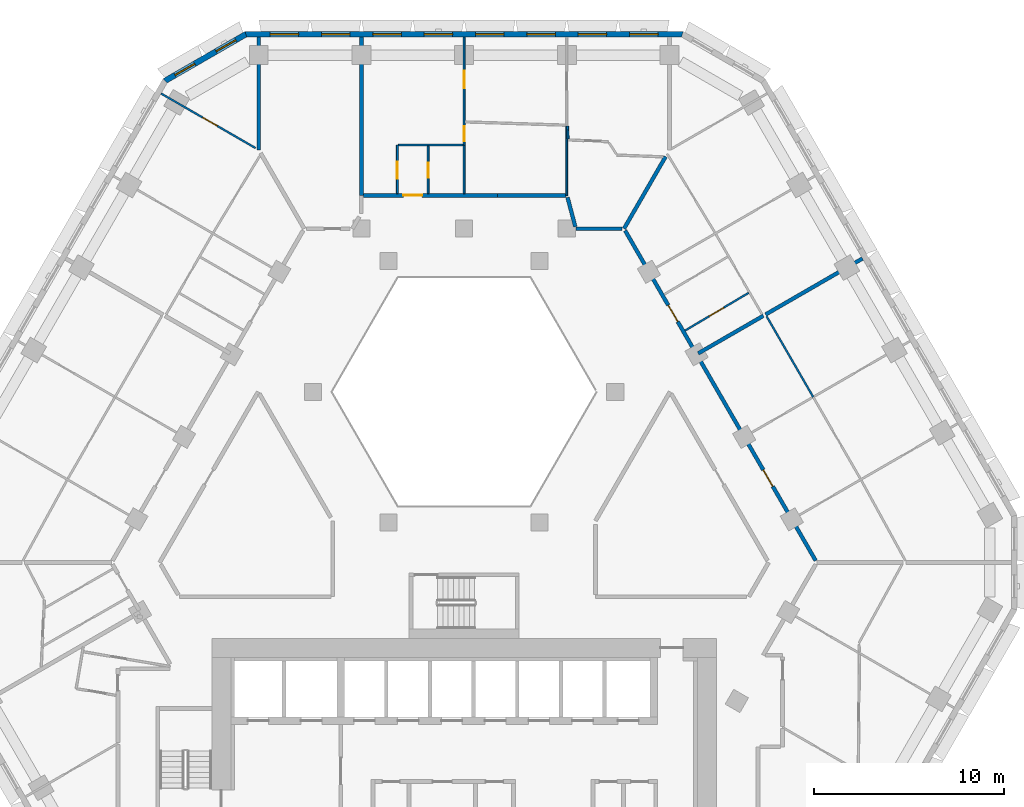
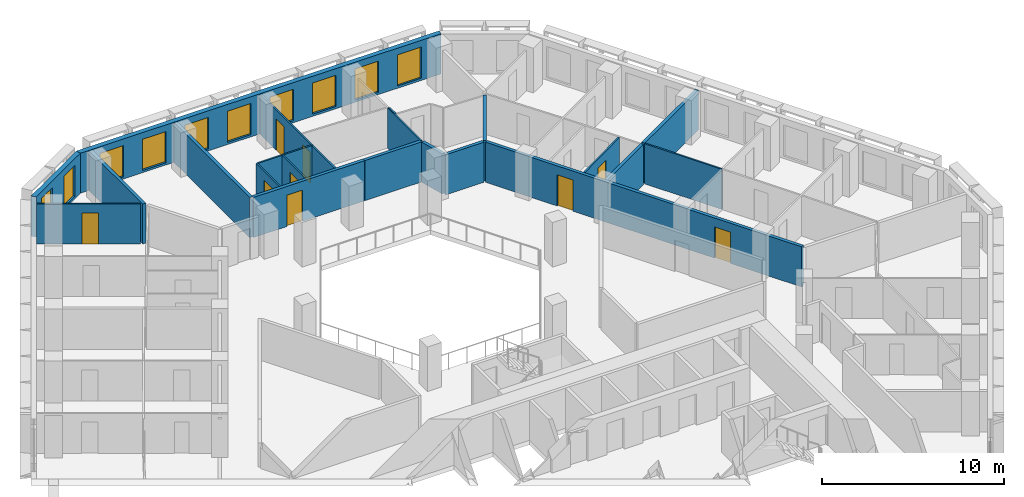
# One storey, part 9 of 18: 22 walls, 10 windows, 9 doors, 19 openings.
"""IFC4 building model written with IfcOpenShell, lengths in metres."""

from ifc_helpers import new_model, si_unit, direction, frame, frame_2d, origin, place, context, subcontext, project, spatial, polyline, rectangle, outline, extrude, material, layer, layer_set, type_object, element, fill, save


model = new_model("IFC4")

# Units and contexts
model_context = context("Model", 3, precision=1e-05, world=origin(), true_north=direction((0.0, 1.0)))
body_context = subcontext(model_context, "Body", "Model", "MODEL_VIEW")
ifc_project = project(units=[si_unit("LENGTHUNIT", "METRE"), si_unit("AREAUNIT", "SQUARE_METRE"), si_unit("VOLUMEUNIT", "CUBIC_METRE"), si_unit("PLANEANGLEUNIT", "RADIAN"), si_unit("MASSUNIT", "GRAM", prefix="KILO")], contexts=[model_context])

# Site, building, storey
site_placement = place(None, origin())
site = spatial("IfcSite", under=ifc_project, at=site_placement, CompositionType="ELEMENT")
building_placement = place(site_placement, origin())
building = spatial("IfcBuilding", under=site, at=building_placement, Name="Beryl Residences", CompositionType="ELEMENT")
storey_placement = place(building_placement, frame((0.0, 0.0, 93.0)))
storey = spatial("IfcBuildingStorey", under=building, at=storey_placement, Name="L28", CompositionType="ELEMENT", Elevation=93.0)

# Wall, openings, windows
ifc_material_1 = material(Name="Composite metal panel with mineral wool insulation")
ifc_layer_1 = layer(ifc_material_1, 0.300048828125)
ifc_layer_set_1 = layer_set([ifc_layer_1], Name="ES1 pale metal composite panel wall 300 mm")
wall_type_1 = type_object("IfcWallType", Name="ES1 pale metal composite panel wall 300 mm", PredefinedType="SOLIDWALL", material=ifc_layer_set_1)
wall_1_placement = place(storey_placement, frame((11.547119140625, 26.85009765625, 0.0), z_axis=(0.0, 0.0, 1.0), x_axis=(-1.0, 0.0, 0.0)))
wall_1 = element("IfcWall", 1, at=wall_1_placement, inside=storey, type_object=wall_type_1, Name="ES1 external wall L28 N", PredefinedType="SOLIDWALL", context=body_context, shape_type="SweptSolid", body=[
    extrude(outline(polyline([(0.0, -0.14990234375), (23.09423828125, -0.14990234375), (23.013916015625, 0.14990234375), (0.080322265625, 0.14990234375), (0.0, -0.14990234375)])), origin(), (0.0, 0.0, 1.0), 2.699951171875),
])
opening_1_placement = place(wall_1_placement, frame((1.324951171875, 0.0, 0.14990234375)))
opening_1 = element("IfcOpeningElement", 2, at=opening_1_placement, cuts=wall_1, Name="Opening W1", PredefinedType="OPENING", context=body_context, shape_type="SweptSolid", body=[
    extrude(rectangle(XDim=1.5, YDim=2.10009765625, at=frame_2d((0.75, 1.050048828125))), frame((0.0, 0.159912109375, 0.0), z_axis=(0.0, -1.0, 0.0), x_axis=(1.0, 0.0, 0.0)), (0.0, 0.0, 1.0), 0.320068359375),
])
opening_2_placement = place(wall_1_placement, frame((4.031982421875, 0.0, 0.14990234375)))
opening_2 = element("IfcOpeningElement", 3, at=opening_2_placement, cuts=wall_1, Name="Opening W1", PredefinedType="OPENING", context=body_context, shape_type="SweptSolid", body=[
    extrude(rectangle(XDim=1.5, YDim=2.10009765625, at=frame_2d((0.75, 1.050048828125))), frame((0.0, 0.159912109375, 0.0), z_axis=(0.0, -1.0, 0.0), x_axis=(1.0, 0.0, 0.0)), (0.0, 0.0, 1.0), 0.320068359375),
])
opening_3_placement = place(wall_1_placement, frame((6.738037109375, 0.0, 0.14990234375)))
opening_3 = element("IfcOpeningElement", 4, at=opening_3_placement, cuts=wall_1, Name="Opening W1", PredefinedType="OPENING", context=body_context, shape_type="SweptSolid", body=[
    extrude(rectangle(XDim=1.5, YDim=2.10009765625, at=frame_2d((0.75, 1.050048828125))), frame((0.0, 0.159912109375, 0.0), z_axis=(0.0, -1.0, 0.0), x_axis=(1.0, 0.0, 0.0)), (0.0, 0.0, 1.0), 0.320068359375),
])
opening_4_placement = place(wall_1_placement, frame((9.445068359375, 0.0, 0.14990234375)))
opening_4 = element("IfcOpeningElement", 5, at=opening_4_placement, cuts=wall_1, Name="Opening W1", PredefinedType="OPENING", context=body_context, shape_type="SweptSolid", body=[
    extrude(rectangle(XDim=1.5, YDim=2.10009765625, at=frame_2d((0.75, 1.050048828125))), frame((0.0, 0.159912109375, 0.0), z_axis=(0.0, -1.0, 0.0), x_axis=(1.0, 0.0, 0.0)), (0.0, 0.0, 1.0), 0.320068359375),
])
opening_5_placement = place(wall_1_placement, frame((12.15087890625, 0.0, 0.14990234375)))
opening_5 = element("IfcOpeningElement", 6, at=opening_5_placement, cuts=wall_1, Name="Opening W1", PredefinedType="OPENING", context=body_context, shape_type="SweptSolid", body=[
    extrude(rectangle(XDim=1.5, YDim=2.10009765625, at=frame_2d((0.75, 1.050048828125))), frame((0.0, 0.159912109375, 0.0), z_axis=(0.0, -1.0, 0.0), x_axis=(1.0, 0.0, 0.0)), (0.0, 0.0, 1.0), 0.320068359375),
])
opening_6_placement = place(wall_1_placement, frame((14.85791015625, 0.0, 0.14990234375)))
opening_6 = element("IfcOpeningElement", 7, at=opening_6_placement, cuts=wall_1, Name="Opening W1", PredefinedType="OPENING", context=body_context, shape_type="SweptSolid", body=[
    extrude(rectangle(XDim=1.5, YDim=2.10009765625, at=frame_2d((0.75, 1.050048828125))), frame((0.0, 0.159912109375, 0.0), z_axis=(0.0, -1.0, 0.0), x_axis=(1.0, 0.0, 0.0)), (0.0, 0.0, 1.0), 0.320068359375),
])
opening_7_placement = place(wall_1_placement, frame((17.56396484375, 0.0, 0.14990234375)))
opening_7 = element("IfcOpeningElement", 8, at=opening_7_placement, cuts=wall_1, Name="Opening W1", PredefinedType="OPENING", context=body_context, shape_type="SweptSolid", body=[
    extrude(rectangle(XDim=1.5, YDim=2.10009765625, at=frame_2d((0.75, 1.050048828125))), frame((0.0, 0.159912109375, 0.0), z_axis=(0.0, -1.0, 0.0), x_axis=(1.0, 0.0, 0.0)), (0.0, 0.0, 1.0), 0.320068359375),
])
opening_8_placement = place(wall_1_placement, frame((20.27099609375, 0.0, 0.14990234375)))
opening_8 = element("IfcOpeningElement", 9, at=opening_8_placement, cuts=wall_1, Name="Opening W1", PredefinedType="OPENING", context=body_context, shape_type="SweptSolid", body=[
    extrude(rectangle(XDim=1.5, YDim=2.10009765625, at=frame_2d((0.75, 1.050048828125))), frame((0.0, 0.159912109375, 0.0), z_axis=(0.0, -1.0, 0.0), x_axis=(1.0, 0.0, 0.0)), (0.0, 0.0, 1.0), 0.320068359375),
])
ifc_material_2 = material(Name="Aluminium and clear glass", Category="aluminium")
window_type_1 = type_object("IfcWindowType", Name="W1 cell window 1500 x 2100 mm", PartitioningType="SINGLE_PANEL", PredefinedType="WINDOW", material=ifc_material_2)
window_1_placement = place(opening_1_placement, origin())
window_1 = element("IfcWindow", 10, at=window_1_placement, inside=storey, type_object=window_type_1, Name="W1 window L28 N 1", OverallHeight=2.10009765625, OverallWidth=1.5, PartitioningType="SINGLE_PANEL", PredefinedType="WINDOW", context=body_context, shape_type="SweptSolid", body=[
    extrude(rectangle(XDim=1.5, YDim=2.10009765625, at=frame_2d((0.75, 1.050048828125))), frame((0.0, 0.030029296875, 0.0), z_axis=(0.0, -1.0, 0.0), x_axis=(1.0, 0.0, 0.0)), (0.0, 0.0, 1.0), 0.06005859375),
])
fill(opening_1, window_1)
window_2_placement = place(opening_2_placement, origin())
window_2 = element("IfcWindow", 11, at=window_2_placement, inside=storey, type_object=window_type_1, Name="W1 window L28 N 2", OverallHeight=2.10009765625, OverallWidth=1.5, PartitioningType="SINGLE_PANEL", PredefinedType="WINDOW", context=body_context, shape_type="SweptSolid", body=[
    extrude(rectangle(XDim=1.5, YDim=2.10009765625, at=frame_2d((0.75, 1.050048828125))), frame((0.0, 0.030029296875, 0.0), z_axis=(0.0, -1.0, 0.0), x_axis=(1.0, 0.0, 0.0)), (0.0, 0.0, 1.0), 0.06005859375),
])
fill(opening_2, window_2)
window_3_placement = place(opening_3_placement, origin())
window_3 = element("IfcWindow", 12, at=window_3_placement, inside=storey, type_object=window_type_1, Name="W1 window L28 N 3", OverallHeight=2.10009765625, OverallWidth=1.5, PartitioningType="SINGLE_PANEL", PredefinedType="WINDOW", context=body_context, shape_type="SweptSolid", body=[
    extrude(rectangle(XDim=1.5, YDim=2.10009765625, at=frame_2d((0.75, 1.050048828125))), frame((0.0, 0.030029296875, 0.0), z_axis=(0.0, -1.0, 0.0), x_axis=(1.0, 0.0, 0.0)), (0.0, 0.0, 1.0), 0.06005859375),
])
fill(opening_3, window_3)
window_4_placement = place(opening_4_placement, origin())
window_4 = element("IfcWindow", 13, at=window_4_placement, inside=storey, type_object=window_type_1, Name="W1 window L28 N 4", OverallHeight=2.10009765625, OverallWidth=1.5, PartitioningType="SINGLE_PANEL", PredefinedType="WINDOW", context=body_context, shape_type="SweptSolid", body=[
    extrude(rectangle(XDim=1.5, YDim=2.10009765625, at=frame_2d((0.75, 1.050048828125))), frame((0.0, 0.030029296875, 0.0), z_axis=(0.0, -1.0, 0.0), x_axis=(1.0, 0.0, 0.0)), (0.0, 0.0, 1.0), 0.06005859375),
])
fill(opening_4, window_4)
window_5_placement = place(opening_5_placement, origin())
window_5 = element("IfcWindow", 14, at=window_5_placement, inside=storey, type_object=window_type_1, Name="W1 window L28 N 5", OverallHeight=2.10009765625, OverallWidth=1.5, PartitioningType="SINGLE_PANEL", PredefinedType="WINDOW", context=body_context, shape_type="SweptSolid", body=[
    extrude(rectangle(XDim=1.5, YDim=2.10009765625, at=frame_2d((0.75, 1.050048828125))), frame((0.0, 0.030029296875, 0.0), z_axis=(0.0, -1.0, 0.0), x_axis=(1.0, 0.0, 0.0)), (0.0, 0.0, 1.0), 0.06005859375),
])
fill(opening_5, window_5)
window_6_placement = place(opening_6_placement, origin())
window_6 = element("IfcWindow", 15, at=window_6_placement, inside=storey, type_object=window_type_1, Name="W1 window L28 N 6", OverallHeight=2.10009765625, OverallWidth=1.5, PartitioningType="SINGLE_PANEL", PredefinedType="WINDOW", context=body_context, shape_type="SweptSolid", body=[
    extrude(rectangle(XDim=1.5, YDim=2.10009765625, at=frame_2d((0.75, 1.050048828125))), frame((0.0, 0.030029296875, 0.0), z_axis=(0.0, -1.0, 0.0), x_axis=(1.0, 0.0, 0.0)), (0.0, 0.0, 1.0), 0.06005859375),
])
fill(opening_6, window_6)
window_7_placement = place(opening_7_placement, origin())
window_7 = element("IfcWindow", 16, at=window_7_placement, inside=storey, type_object=window_type_1, Name="W1 window L28 N 7", OverallHeight=2.10009765625, OverallWidth=1.5, PartitioningType="SINGLE_PANEL", PredefinedType="WINDOW", context=body_context, shape_type="SweptSolid", body=[
    extrude(rectangle(XDim=1.5, YDim=2.10009765625, at=frame_2d((0.75, 1.050048828125))), frame((0.0, 0.030029296875, 0.0), z_axis=(0.0, -1.0, 0.0), x_axis=(1.0, 0.0, 0.0)), (0.0, 0.0, 1.0), 0.06005859375),
])
fill(opening_7, window_7)
window_8_placement = place(opening_8_placement, origin())
window_8 = element("IfcWindow", 17, at=window_8_placement, inside=storey, type_object=window_type_1, Name="W1 window L28 N 8", OverallHeight=2.10009765625, OverallWidth=1.5, PartitioningType="SINGLE_PANEL", PredefinedType="WINDOW", context=body_context, shape_type="SweptSolid", body=[
    extrude(rectangle(XDim=1.5, YDim=2.10009765625, at=frame_2d((0.75, 1.050048828125))), frame((0.0, 0.030029296875, 0.0), z_axis=(0.0, -1.0, 0.0), x_axis=(1.0, 0.0, 0.0)), (0.0, 0.0, 1.0), 0.06005859375),
])
fill(opening_8, window_8)

wall_2_placement = place(storey_placement, frame((-11.471923828125, 26.8701171875, 0.0), z_axis=(0.0, 0.0, 1.0), x_axis=(-0.866022959057, -0.500004234368, 0.0)))
wall_2 = element("IfcWall", 18, at=wall_2_placement, inside=storey, type_object=wall_type_1, Name="ES1 external wall L28 N-NW", PredefinedType="SOLIDWALL", context=body_context, shape_type="SweptSolid", body=[
    extrude(outline(polyline([(0.0, -0.14990234375), (5.0, -0.14990234375), (4.919677734375, 0.14990234375), (0.080322265625, 0.14990234375), (0.0, -0.14990234375)])), origin(), (0.0, 0.0, 1.0), 2.699951171875),
])
opening_9_placement = place(wall_2_placement, frame((0.64990234375, 0.0, 0.14990234375)))
opening_9 = element("IfcOpeningElement", 19, at=opening_9_placement, cuts=wall_2, Name="Opening W2", PredefinedType="OPENING", context=body_context, shape_type="SweptSolid", body=[
    extrude(rectangle(XDim=1.199951171875, YDim=2.10009765625, at=frame_2d((0.60009765625, 1.050048828125))), frame((0.0, 0.159912109375, 0.0), z_axis=(0.0, -1.0, 0.0), x_axis=(1.0, 0.0, 0.0)), (0.0, 0.0, 1.0), 0.320068359375),
])
opening_10_placement = place(wall_2_placement, frame((3.14892578125, 0.0, 0.14990234375)))
opening_10 = element("IfcOpeningElement", 20, at=opening_10_placement, cuts=wall_2, Name="Opening W2", PredefinedType="OPENING", context=body_context, shape_type="SweptSolid", body=[
    extrude(rectangle(XDim=1.199951171875, YDim=2.10009765625, at=frame_2d((0.60009765625, 1.050048828125))), frame((0.0, 0.159912109375, 0.0), z_axis=(0.0, -1.0, 0.0), x_axis=(1.0, 0.0, 0.0)), (0.0, 0.0, 1.0), 0.320068359375),
])
ifc_material_3 = material(Name="Aluminium and clear glass", Category="aluminium")
window_type_2 = type_object("IfcWindowType", Name="W2 chamfer window 1200 x 2100 mm", PartitioningType="SINGLE_PANEL", PredefinedType="WINDOW", material=ifc_material_3)
window_9_placement = place(opening_9_placement, origin())
window_9 = element("IfcWindow", 21, at=window_9_placement, inside=storey, type_object=window_type_2, Name="W2 window L28 N-NW 1", OverallHeight=2.10009765625, OverallWidth=1.199951171875, PartitioningType="SINGLE_PANEL", PredefinedType="WINDOW", context=body_context, shape_type="SweptSolid", body=[
    extrude(rectangle(XDim=1.199951171875, YDim=2.10009765625, at=frame_2d((0.60009765625, 1.050048828125))), frame((0.0, 0.030029296875, 0.0), z_axis=(0.0, -1.0, 0.0), x_axis=(1.0, 0.0, 0.0)), (0.0, 0.0, 1.0), 0.06005859375),
])
fill(opening_9, window_9)
window_10_placement = place(opening_10_placement, origin())
window_10 = element("IfcWindow", 22, at=window_10_placement, inside=storey, type_object=window_type_2, Name="W2 window L28 N-NW 2", OverallHeight=2.10009765625, OverallWidth=1.199951171875, PartitioningType="SINGLE_PANEL", PredefinedType="WINDOW", context=body_context, shape_type="SweptSolid", body=[
    extrude(rectangle(XDim=1.199951171875, YDim=2.10009765625, at=frame_2d((0.60009765625, 1.050048828125))), frame((0.0, 0.030029296875, 0.0), z_axis=(0.0, -1.0, 0.0), x_axis=(1.0, 0.0, 0.0)), (0.0, 0.0, 1.0), 0.06005859375),
])
fill(opening_10, window_10)

# Walls
ifc_material_4 = material(Name="Gypsum board partition on steel studs", Category="steel")
ifc_layer_2 = layer(ifc_material_4, 0.10009765625)
ifc_layer_set_2 = layer_set([ifc_layer_2], Name="PT1 partition 100 mm gypsum board on steel studs")
wall_type_2 = type_object("IfcWallType", Name="PT1 partition 100 mm gypsum board on steel studs", PredefinedType="PARTITIONING", material=ifc_layer_set_2)
wall_3_placement = place(storey_placement, frame((15.94189453125, 11.988037109375, 0.0), z_axis=(0.0, 0.0, 1.0), x_axis=(0.499995794706, -0.866027831699, 0.0)))
element("IfcWall", 23, at=wall_3_placement, inside=storey, type_object=wall_type_2, Name="Wall PT1 L28 004", PredefinedType="PARTITIONING", context=body_context, shape_type="SweptSolid", body=[
    extrude(rectangle(XDim=4.92236328125, YDim=0.10009765625, at=frame_2d((2.461181640625, 0.0))), origin(), (0.0, 0.0, 1.0), 2.699951171875),
])
wall_4_placement = place(storey_placement, frame((5.4541015625, 22.001953125, 0.0), z_axis=(0.0, 0.0, 1.0), x_axis=(0.048996315227, -0.998798959298, 0.0)))
element("IfcWall", 24, at=wall_4_placement, inside=storey, type_object=wall_type_2, Name="Wall PT1 L28 007", PredefinedType="PARTITIONING", context=body_context, shape_type="SweptSolid", body=[
    extrude(rectangle(XDim=0.672607421875, YDim=0.10009765625, at=frame_2d((0.33642578125, 0.0))), origin(), (0.0, 0.0, 1.0), 2.699951171875),
])
wall_5_placement = place(storey_placement, frame((-0.0009765625, 20.97998046875, 0.0), z_axis=(0.0, 0.0, 1.0), x_axis=(0.0, -1.0, 0.0)))
element("IfcWall", 25, at=wall_5_placement, inside=storey, type_object=wall_type_2, Name="Wall PT1 L28 011", PredefinedType="PARTITIONING", context=body_context, shape_type="SweptSolid", body=[
    extrude(rectangle(XDim=2.530029296875, YDim=0.10009765625, at=frame_2d((1.26513671875, 0.0))), origin(), (0.0, 0.0, 1.0), 2.699951171875),
])
wall_6_placement = place(storey_placement, frame((5.412109375, 22.0048828125, 0.0), z_axis=(0.0, 0.0, 1.0), x_axis=(0.0, -1.0, 0.0)))
element("IfcWall", 26, at=wall_6_placement, inside=storey, type_object=wall_type_2, Name="Wall PT1 L28 012", PredefinedType="PARTITIONING", context=body_context, shape_type="SweptSolid", body=[
    extrude(rectangle(XDim=3.656982421875, YDim=0.10009765625, at=frame_2d((1.82861328125, 0.0))), origin(), (0.0, 0.0, 1.0), 2.699951171875),
])

# Wall, opening, door
wall_7_placement = place(storey_placement, frame((-15.97705078125, 23.72509765625, 0.0), z_axis=(0.0, 0.0, 1.0), x_axis=(0.866028566888, -0.499994521305, 0.0)))
wall_7 = element("IfcWall", 27, at=wall_7_placement, inside=storey, type_object=wall_type_2, Name="Wall PT1 L28 026", PredefinedType="PARTITIONING", context=body_context, shape_type="SweptSolid", body=[
    extrude(rectangle(XDim=5.748046875, YDim=0.10009765625, at=frame_2d((2.8740234375, 0.0))), origin(), (0.0, 0.0, 1.0), 2.699951171875),
])
opening_11_placement = place(wall_7_placement, frame((2.52392578125, 0.0, 0.0)))
opening_11 = element("IfcOpeningElement", 28, at=opening_11_placement, cuts=wall_7, Name="Opening D0747", PredefinedType="OPENING", context=body_context, shape_type="SweptSolid", body=[
    extrude(rectangle(XDim=0.89990234375, YDim=2.10009765625, at=frame_2d((0.449951171875, 1.050048828125))), frame((0.0, 0.06005859375, 0.0), z_axis=(0.0, -1.0, 0.0), x_axis=(1.0, 0.0, 0.0)), (0.0, 0.0, 1.0), 0.1201171875),
])
ifc_material_5 = material(Name="Timber door leaf", Category="wood")
door_type_1 = type_object("IfcDoorType", Name="D2 room door 900 x 2100 mm", OperationType="SINGLE_SWING_LEFT", PredefinedType="DOOR", material=ifc_material_5)
door_1_placement = place(opening_11_placement, origin())
door_1 = element("IfcDoor", 29, at=door_1_placement, inside=storey, type_object=door_type_1, Name="Door D0747 L28 001", OperationType="SINGLE_SWING_LEFT", OverallHeight=2.10009765625, OverallWidth=0.89990234375, PredefinedType="DOOR", context=body_context, shape_type="SweptSolid", body=[
    extrude(rectangle(XDim=0.89990234375, YDim=2.10009765625, at=frame_2d((0.449951171875, 1.050048828125))), frame((0.0, 0.02490234375, 0.0), z_axis=(0.0, -1.0, 0.0), x_axis=(1.0, 0.0, 0.0)), (0.0, 0.0, 1.0), 0.050048828125),
])
fill(opening_11, door_1)

# Wall
wall_8_placement = place(storey_placement, frame((-3.468994140625, 21.010009765625, 0.0), z_axis=(0.0, 0.0, 1.0), x_axis=(1.0, 0.0, 0.0)))
element("IfcWall", 30, at=wall_8_placement, inside=storey, type_object=wall_type_2, Name="Wall PT1 L28 029", PredefinedType="PARTITIONING", context=body_context, shape_type="SweptSolid", body=[
    extrude(rectangle(XDim=3.41796875, YDim=0.10009765625, at=frame_2d((1.708984375, 0.0))), origin(), (0.0, 0.0, 1.0), 2.699951171875),
])

# Wall, openings, doors
wall_9_placement = place(storey_placement, frame((-0.0009765625, 20.989990234375, 0.0), z_axis=(0.0, 0.0, 1.0), x_axis=(0.0, 1.0, 0.0)))
wall_9 = element("IfcWall", 31, at=wall_9_placement, inside=storey, type_object=wall_type_2, Name="Wall PT1 L28 045", PredefinedType="PARTITIONING", context=body_context, shape_type="SweptSolid", body=[
    extrude(rectangle(XDim=5.7099609375, YDim=0.10009765625, at=frame_2d((2.85498046875, 0.0))), origin(), (0.0, 0.0, 1.0), 2.699951171875),
])
opening_12_placement = place(wall_9_placement, frame((3.02490234375, 0.0, 0.0)))
opening_12 = element("IfcOpeningElement", 32, at=opening_12_placement, cuts=wall_9, Name="Opening D0737", PredefinedType="OPENING", context=body_context, shape_type="SweptSolid", body=[
    extrude(rectangle(XDim=0.89990234375, YDim=2.10009765625, at=frame_2d((0.449951171875, 1.050048828125))), frame((0.0, 0.06005859375, 0.0), z_axis=(0.0, -1.0, 0.0), x_axis=(1.0, 0.0, 0.0)), (0.0, 0.0, 1.0), 0.1201171875),
])
opening_13_placement = place(wall_9_placement, frame((0.219970703125, 0.0, 0.0)))
opening_13 = element("IfcOpeningElement", 33, at=opening_13_placement, cuts=wall_9, Name="Opening D0738", PredefinedType="OPENING", context=body_context, shape_type="SweptSolid", body=[
    extrude(rectangle(XDim=0.800048828125, YDim=2.10009765625, at=frame_2d((0.39990234375, 1.050048828125))), frame((0.0, 0.06005859375, 0.0), z_axis=(0.0, -1.0, 0.0), x_axis=(1.0, 0.0, 0.0)), (0.0, 0.0, 1.0), 0.1201171875),
])
door_2_placement = place(opening_12_placement, origin())
door_2 = element("IfcDoor", 34, at=door_2_placement, inside=storey, type_object=door_type_1, Name="Door D0737 L28 001", OperationType="SINGLE_SWING_LEFT", OverallHeight=2.10009765625, OverallWidth=0.89990234375, PredefinedType="DOOR", context=body_context, shape_type="SweptSolid", body=[
    extrude(rectangle(XDim=0.89990234375, YDim=2.10009765625, at=frame_2d((0.449951171875, 1.050048828125))), frame((0.0, 0.02490234375, 0.0), z_axis=(0.0, -1.0, 0.0), x_axis=(1.0, 0.0, 0.0)), (0.0, 0.0, 1.0), 0.050048828125),
])
fill(opening_12, door_2)
ifc_material_6 = material(Name="Timber door leaf", Category="wood")
door_type_2 = type_object("IfcDoorType", Name="D3 bathroom door 800 x 2100 mm", OperationType="SINGLE_SWING_LEFT", PredefinedType="DOOR", material=ifc_material_6)
door_3_placement = place(opening_13_placement, origin())
door_3 = element("IfcDoor", 35, at=door_3_placement, inside=storey, type_object=door_type_2, Name="Door D0738 L28 001", OperationType="SINGLE_SWING_RIGHT", OverallHeight=2.10009765625, OverallWidth=0.800048828125, PredefinedType="DOOR", context=body_context, shape_type="SweptSolid", body=[
    extrude(rectangle(XDim=0.800048828125, YDim=2.10009765625, at=frame_2d((0.39990234375, 1.050048828125))), frame((0.0, 0.02490234375, 0.0), z_axis=(0.0, -1.0, 0.0), x_axis=(1.0, 0.0, 0.0)), (0.0, 0.0, 1.0), 0.050048828125),
])
fill(opening_13, door_3)

# Wall, opening, door
wall_10_placement = place(storey_placement, frame((-3.51904296875, 18.449951171875, 0.0), z_axis=(0.0, 0.0, 1.0), x_axis=(0.0, 1.0, 0.0)))
wall_10 = element("IfcWall", 36, at=wall_10_placement, inside=storey, type_object=wall_type_2, Name="Wall PT1 L28 046", PredefinedType="PARTITIONING", context=body_context, shape_type="SweptSolid", body=[
    extrude(rectangle(XDim=2.55908203125, YDim=0.10009765625, at=frame_2d((1.279541015625, 0.0))), origin(), (0.0, 0.0, 1.0), 2.699951171875),
])
opening_14_placement = place(wall_10_placement, frame((0.780029296875, 0.0, 0.0)))
opening_14 = element("IfcOpeningElement", 37, at=opening_14_placement, cuts=wall_10, Name="Opening D0735", PredefinedType="OPENING", context=body_context, shape_type="SweptSolid", body=[
    extrude(rectangle(XDim=0.89990234375, YDim=2.10009765625, at=frame_2d((0.449951171875, 1.050048828125))), frame((0.0, 0.06005859375, 0.0), z_axis=(0.0, -1.0, 0.0), x_axis=(1.0, 0.0, 0.0)), (0.0, 0.0, 1.0), 0.1201171875),
])
door_4_placement = place(opening_14_placement, origin())
door_4 = element("IfcDoor", 38, at=door_4_placement, inside=storey, type_object=door_type_1, Name="Door D0735 L28 001", OperationType="SINGLE_SWING_LEFT", OverallHeight=2.10009765625, OverallWidth=0.89990234375, PredefinedType="DOOR", context=body_context, shape_type="SweptSolid", body=[
    extrude(rectangle(XDim=0.89990234375, YDim=2.10009765625, at=frame_2d((0.449951171875, 1.050048828125))), frame((0.0, 0.02490234375, 0.0), z_axis=(0.0, -1.0, 0.0), x_axis=(1.0, 0.0, 0.0)), (0.0, 0.0, 1.0), 0.050048828125),
])
fill(opening_14, door_4)

wall_11_placement = place(storey_placement, frame((-1.89599609375, 18.449951171875, 0.0), z_axis=(0.0, 0.0, 1.0), x_axis=(0.0, 1.0, 0.0)))
wall_11 = element("IfcWall", 39, at=wall_11_placement, inside=storey, type_object=wall_type_2, Name="Wall PT1 L28 049", PredefinedType="PARTITIONING", context=body_context, shape_type="SweptSolid", body=[
    extrude(rectangle(XDim=2.510009765625, YDim=0.10009765625, at=frame_2d((1.2548828125, 0.0))), origin(), (0.0, 0.0, 1.0), 2.699951171875),
])
opening_15_placement = place(wall_11_placement, frame((0.830078125, 0.0, 0.0)))
opening_15 = element("IfcOpeningElement", 40, at=opening_15_placement, cuts=wall_11, Name="Opening D0736", PredefinedType="OPENING", context=body_context, shape_type="SweptSolid", body=[
    extrude(rectangle(XDim=0.800048828125, YDim=2.10009765625, at=frame_2d((0.39990234375, 1.050048828125))), frame((0.0, 0.06005859375, 0.0), z_axis=(0.0, -1.0, 0.0), x_axis=(1.0, 0.0, 0.0)), (0.0, 0.0, 1.0), 0.1201171875),
])
door_5_placement = place(opening_15_placement, origin())
door_5 = element("IfcDoor", 41, at=door_5_placement, inside=storey, type_object=door_type_2, Name="Door D0736 L28 001", OperationType="SINGLE_SWING_RIGHT", OverallHeight=2.10009765625, OverallWidth=0.800048828125, PredefinedType="DOOR", context=body_context, shape_type="SweptSolid", body=[
    extrude(rectangle(XDim=0.800048828125, YDim=2.10009765625, at=frame_2d((0.39990234375, 1.050048828125))), frame((0.0, 0.02490234375, 0.0), z_axis=(0.0, -1.0, 0.0), x_axis=(1.0, 0.0, 0.0)), (0.0, 0.0, 1.0), 0.050048828125),
])
fill(opening_15, door_5)

wall_12_placement = place(storey_placement, frame((11.64697265625, 11.22705078125, 0.0), z_axis=(0.0, 0.0, 1.0), x_axis=(0.859997349349, 0.510298500011, 0.0)))
wall_12 = element("IfcWall", 42, at=wall_12_placement, inside=storey, type_object=wall_type_2, Name="Wall PT1 L28 059", PredefinedType="PARTITIONING", context=body_context, shape_type="SweptSolid", body=[
    extrude(rectangle(XDim=3.897705078125, YDim=0.10009765625, at=frame_2d((1.94873046875, 0.0))), origin(), (0.0, 0.0, 1.0), 2.699951171875),
])
opening_16_placement = place(wall_12_placement, frame((1.472900390625, 0.0, 0.0)))
opening_16 = element("IfcOpeningElement", 43, at=opening_16_placement, cuts=wall_12, Name="Opening D0729", PredefinedType="OPENING", context=body_context, shape_type="SweptSolid", body=[
    extrude(rectangle(XDim=0.89990234375, YDim=2.10009765625, at=frame_2d((0.449951171875, 1.050048828125))), frame((0.0, 0.06005859375, 0.0), z_axis=(0.0, -1.0, 0.0), x_axis=(1.0, 0.0, 0.0)), (0.0, 0.0, 1.0), 0.1201171875),
])
door_6_placement = place(opening_16_placement, origin())
door_6 = element("IfcDoor", 44, at=door_6_placement, inside=storey, type_object=door_type_1, Name="Door D0729 L28 001", OperationType="SINGLE_SWING_LEFT", OverallHeight=2.10009765625, OverallWidth=0.89990234375, PredefinedType="DOOR", context=body_context, shape_type="SweptSolid", body=[
    extrude(rectangle(XDim=0.89990234375, YDim=2.10009765625, at=frame_2d((0.449951171875, 1.050048828125))), frame((0.0, 0.02490234375, 0.0), z_axis=(0.0, -1.0, 0.0), x_axis=(1.0, 0.0, 0.0)), (0.0, 0.0, 1.0), 0.050048828125),
])
fill(opening_16, door_6)

# Walls
ifc_material_7 = material(Name="Acoustic double stud gypsum board wall")
ifc_layer_3 = layer(ifc_material_7, 0.199951171875)
ifc_layer_set_3 = layer_set([ifc_layer_3], Name="PT3 party wall 200 mm acoustic double stud")
wall_type_3 = type_object("IfcWallType", Name="PT3 party wall 200 mm acoustic double stud", PredefinedType="PARTITIONING", material=ifc_layer_set_3)
wall_13_placement = place(storey_placement, frame((-5.4140625, 26.699951171875, 0.0), z_axis=(0.0, 0.0, 1.0), x_axis=(0.0, -1.0, 0.0)))
element("IfcWall", 45, at=wall_13_placement, inside=storey, type_object=wall_type_3, Name="Wall PT3 L28 002", PredefinedType="PARTITIONING", context=body_context, shape_type="SweptSolid", body=[
    extrude(rectangle(XDim=8.349853515625, YDim=0.199951171875, at=frame_2d((4.1748046875, 0.0))), origin(), (0.0, 0.0, 1.0), 2.699951171875),
])
wall_14_placement = place(storey_placement, frame((8.429931640625, 16.60009765625, 0.0), z_axis=(0.0, 0.0, 1.0), x_axis=(0.500072613115, 0.865983476524, 0.0)))
element("IfcWall", 46, at=wall_14_placement, inside=storey, type_object=wall_type_3, Name="Wall PT3 L28 012", PredefinedType="PARTITIONING", context=body_context, shape_type="SweptSolid", body=[
    extrude(rectangle(XDim=4.385498046875, YDim=0.199951171875, at=frame_2d((2.19287109375, 0.0))), origin(), (0.0, 0.0, 1.0), 2.699951171875),
])
wall_15_placement = place(storey_placement, frame((-10.826904296875, 20.7529296875, 0.0), z_axis=(0.0, 0.0, 1.0), x_axis=(0.0, 1.0, 0.0)))
element("IfcWall", 47, at=wall_15_placement, inside=storey, type_object=wall_type_3, Name="Wall PT3 L28 015", PredefinedType="PARTITIONING", context=body_context, shape_type="SweptSolid", body=[
    extrude(rectangle(XDim=5.947021484375, YDim=0.199951171875, at=frame_2d((2.9736328125, 0.0))), origin(), (0.0, 0.0, 1.0), 2.699951171875),
])
wall_16_placement = place(storey_placement, frame((12.342041015625, 10.02490234375, 0.0), z_axis=(0.0, 0.0, 1.0), x_axis=(0.866033886885, 0.499985306551, 0.0)))
element("IfcWall", 48, at=wall_16_placement, inside=storey, type_object=wall_type_3, Name="Wall PT3 L28 019", PredefinedType="PARTITIONING", context=body_context, shape_type="SweptSolid", body=[
    extrude(rectangle(XDim=3.96630859375, YDim=0.199951171875, at=frame_2d((1.983154296875, 0.0))), origin(), (0.0, 0.0, 1.0), 2.699951171875),
])
wall_17_placement = place(storey_placement, frame((15.89208984375, 12.074951171875, 0.0), z_axis=(0.0, 0.0, 1.0), x_axis=(0.866000883696, 0.500042467634, 0.0)))
element("IfcWall", 49, at=wall_17_placement, inside=storey, type_object=wall_type_3, Name="Wall PT3 L28 020", PredefinedType="PARTITIONING", context=body_context, shape_type="SweptSolid", body=[
    extrude(rectangle(XDim=5.8994140625, YDim=0.199951171875, at=frame_2d((2.94970703125, 0.0))), origin(), (0.0, 0.0, 1.0), 2.699951171875),
])
ifc_material_8 = material(Name="Double stud gypsum board wall")
ifc_layer_4 = layer(ifc_material_8, 0.199951171875)
ifc_layer_set_4 = layer_set([ifc_layer_4], Name="PT4 corridor wall 200 mm double stud")
wall_type_4 = type_object("IfcWallType", Name="PT4 corridor wall 200 mm double stud", PredefinedType="PARTITIONING", material=ifc_layer_set_4)
wall_18_placement = place(storey_placement, frame((5.452880859375, 18.248046875, 0.0), z_axis=(0.0, 0.0, 1.0), x_axis=(0.255687088482, -0.9667595941, 0.0)))
element("IfcWall", 50, at=wall_18_placement, inside=storey, type_object=wall_type_4, Name="Wall PT4 L28 005", PredefinedType="PARTITIONING", context=body_context, shape_type="SweptSolid", body=[
    extrude(rectangle(XDim=1.600341796875, YDim=0.199951171875, at=frame_2d((0.80029296875, 0.0))), origin(), (0.0, 0.0, 1.0), 2.699951171875),
])

# Wall, openings, doors
wall_19_placement = place(storey_placement, frame((8.488037109375, 16.5, 0.0), z_axis=(0.0, 0.0, 1.0), x_axis=(0.499986836607, -0.86603300354, 0.0)))
wall_19 = element("IfcWall", 51, at=wall_19_placement, inside=storey, type_object=wall_type_4, Name="Wall PT4 L28 007", PredefinedType="PARTITIONING", context=body_context, shape_type="SweptSolid", body=[
    extrude(rectangle(XDim=20.09033203125, YDim=0.199951171875, at=frame_2d((10.045166015625, 0.0))), origin(), (0.0, 0.0, 1.0), 2.699951171875),
])
opening_17_placement = place(wall_19_placement, frame((14.569091796875, 0.0, 0.0)))
opening_17 = element("IfcOpeningElement", 52, at=opening_17_placement, cuts=wall_19, Name="Opening D0721", PredefinedType="OPENING", context=body_context, shape_type="SweptSolid", body=[
    extrude(rectangle(XDim=1.0, YDim=2.10009765625, at=frame_2d((0.5, 1.050048828125))), frame((0.0, 0.10986328125, 0.0), z_axis=(0.0, -1.0, 0.0), x_axis=(1.0, 0.0, 0.0)), (0.0, 0.0, 1.0), 0.219970703125),
])
opening_18_placement = place(wall_19_placement, frame((4.547119140625, 0.0, 0.0)))
opening_18 = element("IfcOpeningElement", 53, at=opening_18_placement, cuts=wall_19, Name="Opening D0727", PredefinedType="OPENING", context=body_context, shape_type="SweptSolid", body=[
    extrude(rectangle(XDim=1.0, YDim=2.10009765625, at=frame_2d((0.5, 1.050048828125))), frame((0.0, 0.10986328125, 0.0), z_axis=(0.0, -1.0, 0.0), x_axis=(1.0, 0.0, 0.0)), (0.0, 0.0, 1.0), 0.219970703125),
])
ifc_material_9 = material(Name="Timber door leaf", Category="wood")
door_type_3 = type_object("IfcDoorType", Name="D1 flat entrance door 1000 x 2100 mm", OperationType="SINGLE_SWING_LEFT", PredefinedType="DOOR", material=ifc_material_9)
door_7_placement = place(opening_17_placement, origin())
door_7 = element("IfcDoor", 54, at=door_7_placement, inside=storey, type_object=door_type_3, Name="Door D0721 L28 001", OperationType="SINGLE_SWING_LEFT", OverallHeight=2.10009765625, OverallWidth=1.0, PredefinedType="DOOR", context=body_context, shape_type="SweptSolid", body=[
    extrude(rectangle(XDim=1.0, YDim=2.10009765625, at=frame_2d((0.5, 1.050048828125))), frame((0.0, 0.02490234375, 0.0), z_axis=(0.0, -1.0, 0.0), x_axis=(1.0, 0.0, 0.0)), (0.0, 0.0, 1.0), 0.050048828125),
])
fill(opening_17, door_7)
door_8_placement = place(opening_18_placement, origin())
door_8 = element("IfcDoor", 55, at=door_8_placement, inside=storey, type_object=door_type_3, Name="Door D0727 L28 001", OperationType="SINGLE_SWING_LEFT", OverallHeight=2.10009765625, OverallWidth=1.0, PredefinedType="DOOR", context=body_context, shape_type="SweptSolid", body=[
    extrude(rectangle(XDim=1.0, YDim=2.10009765625, at=frame_2d((0.5, 1.050048828125))), frame((0.0, 0.02490234375, 0.0), z_axis=(0.0, -1.0, 0.0), x_axis=(1.0, 0.0, 0.0)), (0.0, 0.0, 1.0), 0.050048828125),
])
fill(opening_18, door_8)

# Walls
wall_20_placement = place(storey_placement, frame((5.888916015625, 16.60009765625, 0.0), z_axis=(0.0, 0.0, 1.0), x_axis=(1.0, 0.0, 0.0)))
element("IfcWall", 56, at=wall_20_placement, inside=storey, type_object=wall_type_4, Name="Wall PT4 L28 020", PredefinedType="PARTITIONING", context=body_context, shape_type="SweptSolid", body=[
    extrude(rectangle(XDim=2.426025390625, YDim=0.199951171875, at=frame_2d((1.212890625, 0.0))), origin(), (0.0, 0.0, 1.0), 2.699951171875),
])
wall_21_placement = place(storey_placement, frame((1.75, 18.347900390625, 0.0), z_axis=(0.0, 0.0, 1.0), x_axis=(1.0, 0.0, 0.0)))
element("IfcWall", 57, at=wall_21_placement, inside=storey, type_object=wall_type_4, Name="Wall PT4 L28 021", PredefinedType="PARTITIONING", context=body_context, shape_type="SweptSolid", body=[
    extrude(rectangle(XDim=3.612060546875, YDim=0.199951171875, at=frame_2d((1.80615234375, 0.0))), origin(), (0.0, 0.0, 1.0), 2.699951171875),
])

# Wall, opening, door
wall_22_placement = place(storey_placement, frame((-5.31396484375, 18.35009765625, 0.0), z_axis=(0.0, 0.0, 1.0), x_axis=(1.0, 0.0, 0.0)))
wall_22 = element("IfcWall", 58, at=wall_22_placement, inside=storey, type_object=wall_type_4, Name="Wall PT4 L28 022", PredefinedType="PARTITIONING", context=body_context, shape_type="SweptSolid", body=[
    extrude(rectangle(XDim=7.06201171875, YDim=0.199951171875, at=frame_2d((3.531005859375, 0.0))), origin(), (0.0, 0.0, 1.0), 2.699951171875),
])
opening_19_placement = place(wall_22_placement, frame((2.10595703125, 0.0, 0.0)))
opening_19 = element("IfcOpeningElement", 59, at=opening_19_placement, cuts=wall_22, Name="Opening D0734", PredefinedType="OPENING", context=body_context, shape_type="SweptSolid", body=[
    extrude(rectangle(XDim=1.0, YDim=2.10009765625, at=frame_2d((0.5, 1.050048828125))), frame((0.0, 0.10986328125, 0.0), z_axis=(0.0, -1.0, 0.0), x_axis=(1.0, 0.0, 0.0)), (0.0, 0.0, 1.0), 0.219970703125),
])
door_9_placement = place(opening_19_placement, origin())
door_9 = element("IfcDoor", 60, at=door_9_placement, inside=storey, type_object=door_type_3, Name="Door D0734 L28 001", OperationType="SINGLE_SWING_RIGHT", OverallHeight=2.10009765625, OverallWidth=1.0, PredefinedType="DOOR", context=body_context, shape_type="SweptSolid", body=[
    extrude(rectangle(XDim=1.0, YDim=2.10009765625, at=frame_2d((0.5, 1.050048828125))), frame((0.0, 0.02490234375, 0.0), z_axis=(0.0, -1.0, 0.0), x_axis=(1.0, 0.0, 0.0)), (0.0, 0.0, 1.0), 0.050048828125),
])
fill(opening_19, door_9)

save(model, "model.ifc")
